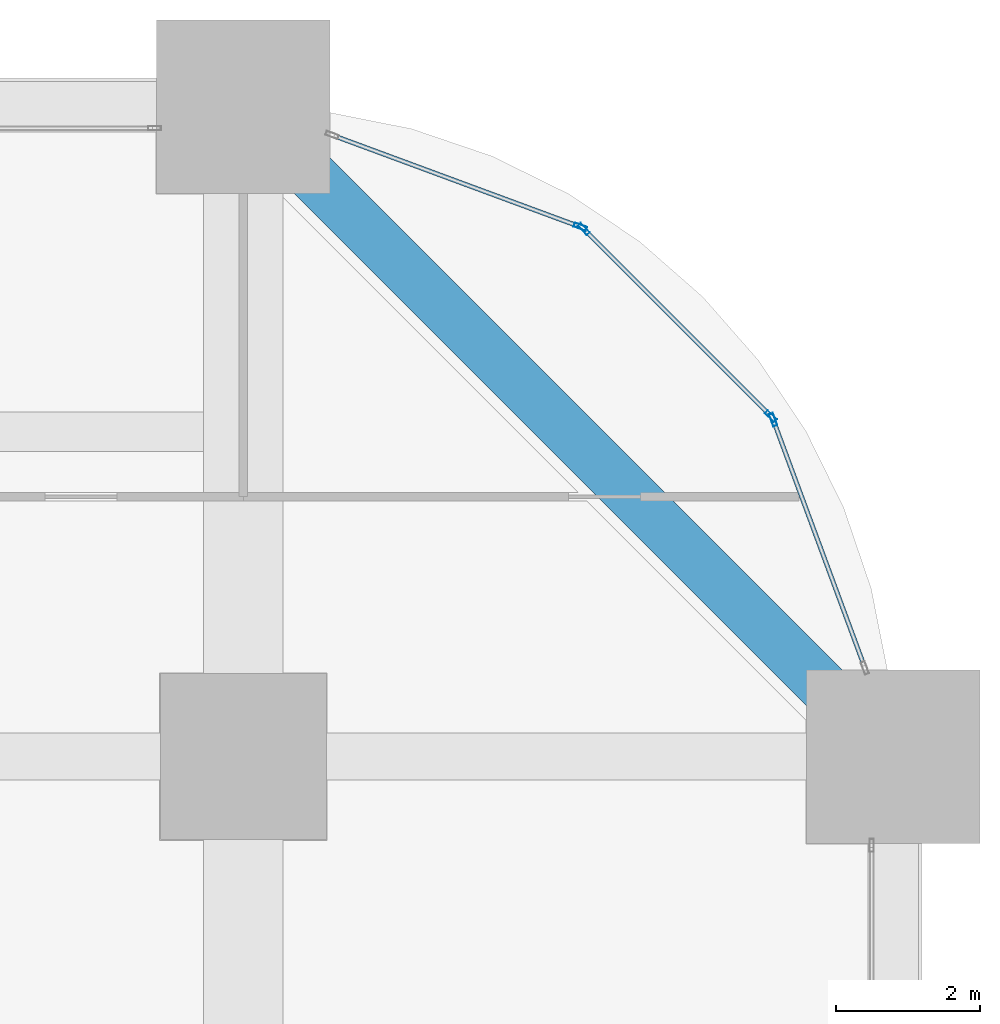
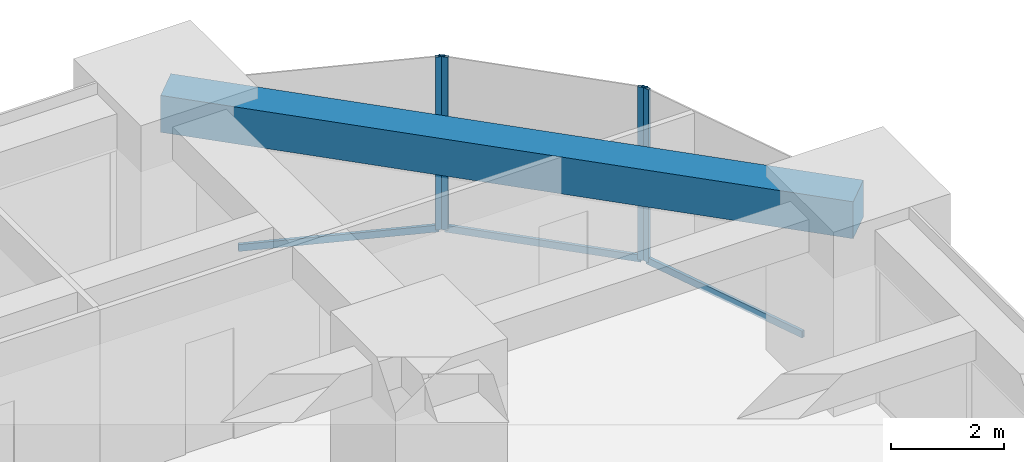
# One storey, part 37 of 45: 7 members, 1 beam, 3 elements without a shape of their own.
"""IFC4 building model written with IfcOpenShell, lengths in metres."""

from ifc_helpers import new_model, si_unit, direction, frame, origin, origin_2d, place, context, subcontext, project, spatial, rectangle, hollow_rectangle, extrude, material, material_profile, profile_set, type_object, element, aggregate, save


model = new_model("IFC4")

# Units and contexts
model_context = context("Model", 3, precision=1e-05, world=origin(), true_north=direction((0.0, 1.0)))
body_context = subcontext(model_context, "Body", "Model", "MODEL_VIEW")
ifc_project = project(units=[si_unit("LENGTHUNIT", "METRE"), si_unit("AREAUNIT", "SQUARE_METRE"), si_unit("VOLUMEUNIT", "CUBIC_METRE"), si_unit("PLANEANGLEUNIT", "RADIAN"), si_unit("MASSUNIT", "GRAM", prefix="KILO")], contexts=[model_context])

# Site, building, storey
site_placement = place(None, origin())
site = spatial("IfcSite", under=ifc_project, at=site_placement, CompositionType="ELEMENT")
building_placement = place(site_placement, origin())
building = spatial("IfcBuilding", under=site, at=building_placement, Name="Zorevar Civic Tower", CompositionType="ELEMENT")
storey_placement = place(building_placement, frame((0.0, 0.0, 47.800048828125)))
storey = spatial("IfcBuildingStorey", under=building, at=storey_placement, Name="L11", CompositionType="ELEMENT", Elevation=47.800048828125)

# Curtain wall, member
ifc_material_1 = material(Name="Dark grey solar-control glass in black aluminium frame", Category="aluminium")
curtain_wall_type = type_object("IfcCurtainWallType", Name="Curtain wall CW2 low zone", PredefinedType="NOTDEFINED", material=ifc_material_1)
curtain_wall_1_placement = place(storey_placement, origin())
curtain_wall_1 = element("IfcCurtainWall", 1, at=curtain_wall_1_placement, inside=storey, type_object=curtain_wall_type, Name="CW2 L11", PredefinedType="NOTDEFINED")
ifc_material_2 = material(Name="Aluminium, black anodised", Category="aluminium")
ifc_material_profile_1 = material_profile(ifc_material_2, hollow_rectangle(XDim=0.06005859375, YDim=0.179931640625, WallThickness=0.00390625, at=origin_2d()), Name="AL 180x60x4")
ifc_profile_set_1 = profile_set([ifc_material_profile_1], Name="Aluminium, black anodised")
member_type_1 = type_object("IfcMemberType", Name="CW2 mullion AL 180x60x4", PredefinedType="MULLION", material=ifc_profile_set_1)
member_1_placement = place(storey_placement, frame((61.336181640625, 49.66455078125, 0.0), z_axis=(0.0, 0.0, 1.0), x_axis=(-0.937974588163, -0.346704012033, 0.0)))
member_1 = element("IfcMember", 2, at=member_1_placement, type_object=member_type_1, Name="CW2 mullion 2", PredefinedType="MULLION", context=body_context, shape_type="SweptSolid", body=[
    extrude(hollow_rectangle(XDim=0.06005859375, YDim=0.179931640625, WallThickness=0.00390625, at=origin_2d()), origin(), (0.0, 0.0, 1.0), 3.75),
])

# Curtain wall, members
curtain_wall_2_placement = place(storey_placement, origin())
curtain_wall_2 = element("IfcCurtainWall", 3, at=curtain_wall_2_placement, inside=storey, type_object=curtain_wall_type, Name="CW2 L11", PredefinedType="NOTDEFINED")
member_2_placement = place(storey_placement, frame((61.3046875, 49.7138671875, 0.0), z_axis=(0.0, 0.0, 1.0), x_axis=(-0.707106781187, -0.707106781187, 0.0)))
member_2 = element("IfcMember", 4, at=member_2_placement, type_object=member_type_1, Name="CW2 mullion 1", PredefinedType="MULLION", context=body_context, shape_type="SweptSolid", body=[
    extrude(hollow_rectangle(XDim=0.06005859375, YDim=0.179931640625, WallThickness=0.00390625, at=origin_2d()), origin(), (0.0, 0.0, 1.0), 3.75),
])
member_3_placement = place(storey_placement, frame((58.7138671875, 52.3046875, 0.0), z_axis=(0.0, 0.0, 1.0), x_axis=(-0.707106781187, -0.707106781187, 0.0)))
member_3 = element("IfcMember", 5, at=member_3_placement, type_object=member_type_1, Name="CW2 mullion 2", PredefinedType="MULLION", context=body_context, shape_type="SweptSolid", body=[
    extrude(hollow_rectangle(XDim=0.06005859375, YDim=0.179931640625, WallThickness=0.00390625, at=origin_2d()), origin(), (0.0, 0.0, 1.0), 3.75),
])

# Curtain wall, member
curtain_wall_3_placement = place(storey_placement, origin())
curtain_wall_3 = element("IfcCurtainWall", 6, at=curtain_wall_3_placement, inside=storey, type_object=curtain_wall_type, Name="CW2 L11", PredefinedType="NOTDEFINED")
member_4_placement = place(storey_placement, frame((58.66455078125, 52.336181640625, 0.0), z_axis=(0.0, 0.0, 1.0), x_axis=(-0.346704012033, -0.937974588163, 0.0)))
member_4 = element("IfcMember", 7, at=member_4_placement, type_object=member_type_1, Name="CW2 mullion 1", PredefinedType="MULLION", context=body_context, shape_type="SweptSolid", body=[
    extrude(hollow_rectangle(XDim=0.06005859375, YDim=0.179931640625, WallThickness=0.00390625, at=origin_2d()), origin(), (0.0, 0.0, 1.0), 3.75),
])

# Member
ifc_material_3 = material(Name="Aluminium, black anodised", Category="aluminium")
ifc_material_profile_2 = material_profile(ifc_material_3, hollow_rectangle(XDim=0.06005859375, YDim=0.14990234375, WallThickness=0.00390625, at=origin_2d()), Name="AL 150x60x4")
ifc_profile_set_2 = profile_set([ifc_material_profile_2], Name="Aluminium, black anodised")
member_type_2 = type_object("IfcMemberType", Name="CW2 transom AL 150x60x4", PredefinedType="USERDEFINED", material=ifc_profile_set_2)
member_5_placement = place(storey_placement, frame((62.595947265625, 46.25634765625, 0.030029296875), z_axis=(-0.346672169799, 0.93798635741, 0.0), x_axis=(-0.93798635741, -0.346672169799, 0.0)))
member_5 = element("IfcMember", 8, at=member_5_placement, type_object=member_type_2, Name="CW2 sill transom", ObjectType="TRANSOM", PredefinedType="USERDEFINED", context=body_context, shape_type="SweptSolid", body=[
    extrude(hollow_rectangle(XDim=0.06005859375, YDim=0.14990234375, WallThickness=0.00390625, at=origin_2d()), origin(), (0.0, 0.0, 1.0), 3.603515625),
])

aggregate(curtain_wall_1, [member_1, member_5])

member_6_placement = place(storey_placement, frame((61.283447265625, 49.735107421875, 0.030029296875), z_axis=(-0.707106781187, 0.707106781187, 0.0), x_axis=(-0.707106781187, -0.707106781187, 0.0)))
member_6 = element("IfcMember", 9, at=member_6_placement, type_object=member_type_2, Name="CW2 sill transom", ObjectType="TRANSOM", PredefinedType="USERDEFINED", context=body_context, shape_type="SweptSolid", body=[
    extrude(hollow_rectangle(XDim=0.06005859375, YDim=0.14990234375, WallThickness=0.00390625, at=origin_2d()), origin(), (0.0, 0.0, 1.0), 3.60400390625),
])

aggregate(curtain_wall_2, [member_2, member_3, member_6])

member_7_placement = place(storey_placement, frame((58.636474609375, 52.3466796875, 0.030029296875), z_axis=(-0.93798635741, 0.346672169799, 0.0), x_axis=(-0.346672169799, -0.93798635741, 0.0)))
member_7 = element("IfcMember", 10, at=member_7_placement, type_object=member_type_2, Name="CW2 sill transom", ObjectType="TRANSOM", PredefinedType="USERDEFINED", context=body_context, shape_type="SweptSolid", body=[
    extrude(hollow_rectangle(XDim=0.06005859375, YDim=0.14990234375, WallThickness=0.00390625, at=origin_2d()), origin(), (0.0, 0.0, 1.0), 3.603515625),
])

aggregate(curtain_wall_3, [member_4, member_7])

# Beam
ifc_material_4 = material(Name="Concrete C50/60", Category="concrete")
ifc_material_profile_3 = material_profile(ifc_material_4, rectangle(XDim=0.699951171875, YDim=0.800048828125, at=origin_2d()), Name="RC 700x800")
ifc_profile_set_3 = profile_set([ifc_material_profile_3], Name="Concrete C50/60")
beam_type = type_object("IfcBeamType", Name="Edge beam RC 700x800", PredefinedType="SPANDREL", material=ifc_profile_set_3)
beam_placement = place(storey_placement, frame((63.0, 45.0, 3.349853515625), z_axis=(-0.707106781187, 0.707106781187, 0.0), x_axis=(-0.707106781187, -0.707106781187, 0.0)))
element("IfcBeam", 11, at=beam_placement, inside=storey, type_object=beam_type, Name="Corner edge beam L12", PredefinedType="SPANDREL", context=body_context, shape_type="SweptSolid", body=[
    extrude(rectangle(XDim=0.699951171875, YDim=0.800048828125, at=origin_2d()), origin(), (0.0, 0.0, 1.0), 12.72802734375),
])

save(model, "model.ifc")
